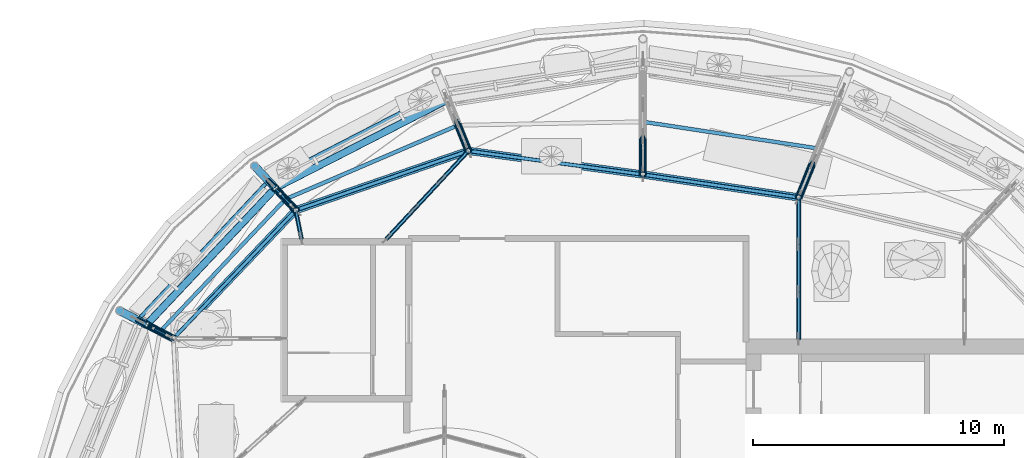
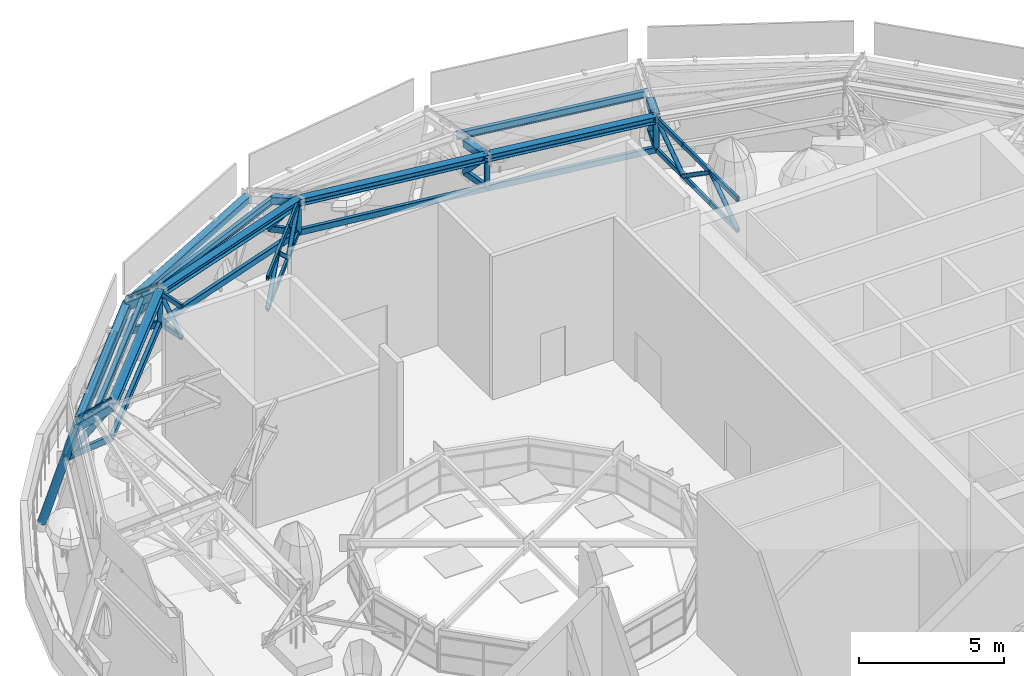
# One storey, part 12 of 40: 47 members, 12 beams, 1 element without a shape of its own.
"""IFC4 building model written with IfcOpenShell, lengths in metres."""

from ifc_helpers import new_model, si_unit, direction, frame, origin, origin_2d, place, context, subcontext, project, spatial, rectangle, hollow_rectangle, hollow_circle, i_section, extrude, material, material_profile, profile_set, type_object, element, aggregate, save


model = new_model("IFC4")

# Units and contexts
model_context = context("Model", 3, precision=1e-05, world=origin(), true_north=direction((0.0, 1.0)))
body_context = subcontext(model_context, "Body", "Model", "MODEL_VIEW")
ifc_project = project(units=[si_unit("LENGTHUNIT", "METRE"), si_unit("AREAUNIT", "SQUARE_METRE"), si_unit("VOLUMEUNIT", "CUBIC_METRE"), si_unit("PLANEANGLEUNIT", "RADIAN"), si_unit("MASSUNIT", "GRAM", prefix="KILO")], contexts=[model_context])

# Site, building, storey
site_placement = place(None, origin())
site = spatial("IfcSite", under=ifc_project, at=site_placement, CompositionType="ELEMENT")
building_placement = place(site_placement, origin())
building = spatial("IfcBuilding", under=site, at=building_placement, Name="Taillehof Tower", CompositionType="ELEMENT")
storey_placement = place(building_placement, frame((0.0, 0.0, 275.199951171875)))
storey = spatial("IfcBuildingStorey", under=building, at=storey_placement, Name="L77", CompositionType="ELEMENT", Elevation=275.199951171875)

# Beams
ifc_material_1 = material(Name="Steel S460M", Category="steel")
ifc_material_profile_1 = material_profile(ifc_material_1, i_section(OverallWidth=0.300048828125, OverallDepth=0.2900390625, WebThickness=0.008544921875, FlangeThickness=0.013916015625, FilletRadius=0.027099609375, at=origin_2d()), Name="HEA 300")
ifc_profile_set_1 = profile_set([ifc_material_profile_1], Name="Steel S460M")
beam_type_1 = type_object("IfcBeamType", Name="Canopy apex ring beam HEA 300", PredefinedType="BEAM", material=ifc_profile_set_1)
beam_1_placement = place(storey_placement, frame((6.1015625, 15.637939453125, 5.10009765625), z_axis=(-0.989356826723, 0.145509688396, 0.0), x_axis=(-0.145509688396, -0.989356826723, 0.0)))
element("IfcBeam", 1, at=beam_1_placement, inside=storey, type_object=beam_type_1, Name="Canopy ring beam CR22", PredefinedType="BEAM", context=body_context, shape_type="SweptSolid", body=[
    extrude(i_section(OverallWidth=0.300048828125, OverallDepth=0.2900390625, WebThickness=0.008544921875, FlangeThickness=0.013916015625, FilletRadius=0.027099609375, at=origin_2d()), origin(), (0.0, 0.0, 1.0), 6.268310546875),
])
beam_2_placement = place(storey_placement, frame((-0.10009765625, 16.550048828125, 5.10009765625), z_axis=(-0.990938920304, 0.134313276437, 0.0), x_axis=(-0.134313276437, -0.990938920304, 0.0)))
element("IfcBeam", 2, at=beam_2_placement, inside=storey, type_object=beam_type_1, Name="Canopy ring beam CR23", PredefinedType="BEAM", context=body_context, shape_type="SweptSolid", body=[
    extrude(i_section(OverallWidth=0.300048828125, OverallDepth=0.2900390625, WebThickness=0.008544921875, FlangeThickness=0.013916015625, FilletRadius=0.027099609375, at=origin_2d()), origin(), (0.0, 0.0, 1.0), 7.014404296875),
])
beam_3_placement = place(storey_placement, frame((-7.051025390625, 17.4921875, 5.10009765625), z_axis=(-0.945647213837, -0.325194321848, 0.0), x_axis=(0.325194321848, -0.945647213837, 0.0)))
element("IfcBeam", 3, at=beam_3_placement, inside=storey, type_object=beam_type_1, Name="Canopy ring beam CR24", PredefinedType="BEAM", context=body_context, shape_type="SweptSolid", body=[
    extrude(i_section(OverallWidth=0.300048828125, OverallDepth=0.2900390625, WebThickness=0.008544921875, FlangeThickness=0.013916015625, FilletRadius=0.027099609375, at=origin_2d()), origin(), (0.0, 0.0, 1.0), 7.2666015625),
])
beam_4_placement = place(storey_placement, frame((-13.922607421875, 15.129150390625, 5.10009765625), z_axis=(-0.690268561292, -0.723553255325, 0.0), x_axis=(0.723553255325, -0.690268561292, 0.0)))
element("IfcBeam", 4, at=beam_4_placement, inside=storey, type_object=beam_type_1, Name="Canopy ring beam CR25", PredefinedType="BEAM", context=body_context, shape_type="SweptSolid", body=[
    extrude(i_section(OverallWidth=0.300048828125, OverallDepth=0.2900390625, WebThickness=0.008544921875, FlangeThickness=0.013916015625, FilletRadius=0.027099609375, at=origin_2d()), origin(), (0.0, 0.0, 1.0), 7.0634765625),
])

# Curtain wall, members
ifc_material_2 = material(Name="Aluminium glazing bars with clear laminated safety glass", Category="aluminium")
curtain_wall_type = type_object("IfcCurtainWallType", Name="Canopy glazing", PredefinedType="NOTDEFINED", material=ifc_material_2)
curtain_wall_placement = place(storey_placement, origin())
curtain_wall = element("IfcCurtainWall", 5, at=curtain_wall_placement, inside=storey, type_object=curtain_wall_type, Name="Canopy glazing 3", PredefinedType="NOTDEFINED")
ifc_material_3 = material(Name="Aluminium glazing bar", Category="aluminium")
ifc_material_profile_2 = material_profile(ifc_material_3, rectangle(XDim=0.06005859375, YDim=0.070068359375, at=origin_2d()), Name="AL 60x70")
ifc_profile_set_2 = profile_set([ifc_material_profile_2], Name="Aluminium glazing bar")
member_type_1 = type_object("IfcMemberType", Name="Canopy glazing bar 60x70", PredefinedType="USERDEFINED", material=ifc_profile_set_2)
member_1_placement = place(storey_placement, frame((-14.740966796875, 16.007080078125, 4.658203125), z_axis=(0.567066962549, -0.608877571429, 0.554709980977), x_axis=(0.731785505268, 0.681535013246, 0.0)))
member_1 = element("IfcMember", 6, at=member_1_placement, type_object=member_type_1, Name="Canopy glazing bar 7", ObjectType="TRANSOM", PredefinedType="USERDEFINED", context=body_context, shape_type="SweptSolid", body=[
    extrude(rectangle(XDim=0.06005859375, YDim=0.070068359375, at=origin_2d()), origin(), (0.0, 0.0, 1.0), 1.4423828125),
])
member_2_placement = place(storey_placement, frame((-19.863037109375, 10.572021484375, 4.658203125), z_axis=(0.738218669105, -0.384002329253, 0.554594813998), x_axis=(0.461474403066, 0.887153524096, 0.0)))
member_2 = element("IfcMember", 7, at=member_2_placement, type_object=member_type_1, Name="Canopy glazing bar 8", ObjectType="TRANSOM", PredefinedType="USERDEFINED", context=body_context, shape_type="SweptSolid", body=[
    extrude(rectangle(XDim=0.06005859375, YDim=0.070068359375, at=origin_2d()), origin(), (0.0, 0.0, 1.0), 1.442626953125),
])
aggregate(curtain_wall, [member_1, member_2])

# Members
ifc_material_4 = material(Name="Steel S460M", Category="steel")
ifc_material_profile_3 = material_profile(ifc_material_4, hollow_circle(Radius=0.109619140625, WallThickness=0.012451171875, at=origin_2d()), Name="CHS 219.1x12.5")
ifc_profile_set_3 = profile_set([ifc_material_profile_3], Name="Steel S460M")
member_type_2 = type_object("IfcMemberType", Name="Canopy inner ring post CHS 219.1x12.5", PredefinedType="POST", material=ifc_profile_set_3)
for number, where, z_axis, x_axis, name in (
    (8, (6.1015625, 15.637939453125, 3.800048828125), (0.0, 0.0, 1.0), (1.0, 0.0, 0.0), "Canopy ring post RP04"),
    (9, (-0.10009765625, 16.550048828125, 3.800048828125), (0.0, 0.0, 1.0), (1.0, 0.0, 0.0), "Canopy ring post RP05"),
    (10, (-7.051025390625, 17.4921875, 3.800048828125), (0.0, 0.0, 1.0), (1.0, 0.0, 0.0), "Canopy ring post RP06"),
    (11, (-13.922607421875, 15.129150390625, 3.800048828125), (0.0, 0.0, 1.0), (1.0, 0.0, 0.0), "Canopy ring post RP07"),
):
    element("IfcMember", number, at=place(storey_placement, frame(where, z_axis=z_axis, x_axis=x_axis)), inside=storey, type_object=member_type_2, Name=name, PredefinedType="POST", context=body_context, shape_type="SweptSolid", body=[
        extrude(hollow_circle(Radius=0.109619140625, WallThickness=0.012451171875, at=origin_2d()), origin(), (0.0, 0.0, 1.0), 1.300048828125),
    ])

# Beams
ifc_material_5 = material(Name="Steel S460M", Category="steel")
ifc_material_profile_4 = material_profile(ifc_material_5, hollow_rectangle(XDim=0.14990234375, YDim=0.25, WallThickness=0.010009765625, InnerFilletRadius=0.010009765625, OuterFilletRadius=0.014892578125, at=origin_2d()), Name="RHS 250x150x10")
ifc_profile_set_4 = profile_set([ifc_material_profile_4], Name="Steel S460M")
beam_type_2 = type_object("IfcBeamType", Name="Canopy lower ring beam RHS 250x150x10", PredefinedType="BEAM", material=ifc_profile_set_4)
beam_5_placement = place(storey_placement, frame((-8.025634765625, 19.902587890625, 3.0), z_axis=(-0.888812455992, -0.458271118525, 0.0), x_axis=(0.458271118525, -0.888812455992, 0.0)))
element("IfcBeam", 12, at=beam_5_placement, inside=storey, type_object=beam_type_2, Name="Canopy lower ring beam CB06", PredefinedType="BEAM", context=body_context, shape_type="SweptSolid", body=[
    extrude(hollow_rectangle(XDim=0.14990234375, YDim=0.25, WallThickness=0.010009765625, InnerFilletRadius=0.010009765625, OuterFilletRadius=0.014892578125, at=origin_2d()), origin(), (0.0, 0.0, 1.0), 7.8623046875),
])
beam_6_placement = place(storey_placement, frame((-15.013671875, 16.299560546875, 3.0), z_axis=(-0.684455761803, -0.729054394497, 0.0), x_axis=(0.729054394497, -0.684455761803, 0.0)))
element("IfcBeam", 13, at=beam_6_placement, inside=storey, type_object=beam_type_2, Name="Canopy lower ring beam CB07", PredefinedType="BEAM", context=body_context, shape_type="SweptSolid", body=[
    extrude(hollow_rectangle(XDim=0.14990234375, YDim=0.25, WallThickness=0.010009765625, InnerFilletRadius=0.010009765625, OuterFilletRadius=0.014892578125, at=origin_2d()), origin(), (0.0, 0.0, 1.0), 7.603515625),
])
beam_7_placement = place(storey_placement, frame((6.1015625, 15.637939453125, 3.800048828125), z_axis=(-0.989356826723, 0.145509688396, 0.0), x_axis=(-0.145509688396, -0.989356826723, 0.0)))
element("IfcBeam", 14, at=beam_7_placement, inside=storey, type_object=beam_type_2, Name="Canopy lower ring beam CB22", PredefinedType="BEAM", context=body_context, shape_type="SweptSolid", body=[
    extrude(hollow_rectangle(XDim=0.14990234375, YDim=0.25, WallThickness=0.010009765625, InnerFilletRadius=0.010009765625, OuterFilletRadius=0.014892578125, at=origin_2d()), origin(), (0.0, 0.0, 1.0), 6.268310546875),
])
beam_8_placement = place(storey_placement, frame((-0.10009765625, 16.550048828125, 3.800048828125), z_axis=(-0.990938920304, 0.134313276437, 0.0), x_axis=(-0.134313276437, -0.990938920304, 0.0)))
element("IfcBeam", 15, at=beam_8_placement, inside=storey, type_object=beam_type_2, Name="Canopy lower ring beam CB23", PredefinedType="BEAM", context=body_context, shape_type="SweptSolid", body=[
    extrude(hollow_rectangle(XDim=0.14990234375, YDim=0.25, WallThickness=0.010009765625, InnerFilletRadius=0.010009765625, OuterFilletRadius=0.014892578125, at=origin_2d()), origin(), (0.0, 0.0, 1.0), 7.014404296875),
])
beam_9_placement = place(storey_placement, frame((-7.051025390625, 17.4921875, 3.800048828125), z_axis=(-0.945647213837, -0.325194321848, 0.0), x_axis=(0.325194321848, -0.945647213837, 0.0)))
element("IfcBeam", 16, at=beam_9_placement, inside=storey, type_object=beam_type_2, Name="Canopy lower ring beam CB24", PredefinedType="BEAM", context=body_context, shape_type="SweptSolid", body=[
    extrude(hollow_rectangle(XDim=0.14990234375, YDim=0.25, WallThickness=0.010009765625, InnerFilletRadius=0.010009765625, OuterFilletRadius=0.014892578125, at=origin_2d()), origin(), (0.0, 0.0, 1.0), 7.2666015625),
])
beam_10_placement = place(storey_placement, frame((-13.922607421875, 15.129150390625, 3.800048828125), z_axis=(-0.690268561292, -0.723553255325, 0.0), x_axis=(0.723553255325, -0.690268561292, 0.0)))
element("IfcBeam", 17, at=beam_10_placement, inside=storey, type_object=beam_type_2, Name="Canopy lower ring beam CB25", PredefinedType="BEAM", context=body_context, shape_type="SweptSolid", body=[
    extrude(hollow_rectangle(XDim=0.14990234375, YDim=0.25, WallThickness=0.010009765625, InnerFilletRadius=0.010009765625, OuterFilletRadius=0.014892578125, at=origin_2d()), origin(), (0.0, 0.0, 1.0), 7.0634765625),
])

# Members
ifc_material_6 = material(Name="Steel S460M", Category="steel")
ifc_material_profile_5 = material_profile(ifc_material_6, i_section(OverallWidth=0.14990234375, OverallDepth=0.300048828125, WebThickness=0.007080078125, FlangeThickness=0.0107421875, FilletRadius=0.014892578125, at=origin_2d()), Name="IPE 300")
ifc_profile_set_5 = profile_set([ifc_material_profile_5], Name="Steel S460M")
member_type_3 = type_object("IfcMemberType", Name="Canopy purlin IPE 300", PredefinedType="PURLIN", material=ifc_profile_set_5)
member_3_placement = place(storey_placement, frame((6.888427734375, 17.5849609375, 4.699951171875), z_axis=(-0.988587885748, 0.150645252668, 0.0), x_axis=(-0.150645252668, -0.988587885748, 0.0)))
element("IfcMember", 18, at=member_3_placement, inside=storey, type_object=member_type_3, Name="Canopy purlin CP04", PredefinedType="PURLIN", context=body_context, shape_type="SweptSolid", body=[
    extrude(i_section(OverallWidth=0.14990234375, OverallDepth=0.300048828125, WebThickness=0.007080078125, FlangeThickness=0.0107421875, FilletRadius=0.014892578125, at=origin_2d()), origin(), (0.0, 0.0, 1.0), 7.069091796875),
])
member_4_placement = place(storey_placement, frame((-7.46337890625, 18.511962890625, 4.699951171875), z_axis=(-0.919138270569, -0.393935070254, 0.0), x_axis=(0.393935070254, -0.919138270569, 0.0)))
element("IfcMember", 19, at=member_4_placement, inside=storey, type_object=member_type_3, Name="Canopy purlin CP06", PredefinedType="PURLIN", context=body_context, shape_type="SweptSolid", body=[
    extrude(i_section(OverallWidth=0.14990234375, OverallDepth=0.300048828125, WebThickness=0.007080078125, FlangeThickness=0.0107421875, FilletRadius=0.014892578125, at=origin_2d()), origin(), (0.0, 0.0, 1.0), 7.472900390625),
])
member_5_placement = place(storey_placement, frame((-14.33203125, 15.568115234375, 4.699951171875), z_axis=(-0.687953389122, -0.725754872113, 0.0), x_axis=(0.725754872113, -0.687953389122, 0.0)))
element("IfcMember", 20, at=member_5_placement, inside=storey, type_object=member_type_3, Name="Canopy purlin CP07", PredefinedType="PURLIN", context=body_context, shape_type="SweptSolid", body=[
    extrude(i_section(OverallWidth=0.14990234375, OverallDepth=0.300048828125, WebThickness=0.007080078125, FlangeThickness=0.0107421875, FilletRadius=0.014892578125, at=origin_2d()), origin(), (0.0, 0.0, 1.0), 7.265869140625),
])
ifc_material_7 = material(Name="Steel S460M", Category="steel")
ifc_material_profile_6 = material_profile(ifc_material_7, hollow_rectangle(XDim=0.300048828125, YDim=0.300048828125, WallThickness=0.012451171875, InnerFilletRadius=0.012451171875, OuterFilletRadius=0.018798828125, at=origin_2d()), Name="RHS 300x300x12.5")
ifc_profile_set_6 = profile_set([ifc_material_profile_6], Name="Steel S460M")
member_type_4 = type_object("IfcMemberType", Name="Canopy rafter RHS 300x300x12.5", PredefinedType="RAFTER", material=ifc_profile_set_6)
member_6_placement = place(storey_placement, frame((6.626220703125, 16.93603515625, 4.83349609375), z_axis=(-0.368111402005, -0.91077167262, 0.187053350856), x_axis=(0.927135846139, -0.37472539653, 0.0)))
element("IfcMember", 21, at=member_6_placement, inside=storey, type_object=member_type_4, Name="Canopy rafter 04 top chord 3", PredefinedType="RAFTER", context=body_context, shape_type="SweptSolid", body=[
    extrude(hollow_rectangle(XDim=0.300048828125, YDim=0.300048828125, WallThickness=0.012451171875, InnerFilletRadius=0.012451171875, OuterFilletRadius=0.018798828125, at=origin_2d()), origin(), (0.0, 0.0, 1.0), 1.42529296875),
])
member_7_placement = place(storey_placement, frame((-0.10009765625, 17.949951171875, 4.83349609375), z_axis=(0.0, -0.982344563966, 0.187080618042), x_axis=(1.0, 0.0, 0.0)))
element("IfcMember", 22, at=member_7_placement, inside=storey, type_object=member_type_4, Name="Canopy rafter 05 top chord 3", PredefinedType="RAFTER", context=body_context, shape_type="SweptSolid", body=[
    extrude(hollow_rectangle(XDim=0.300048828125, YDim=0.300048828125, WallThickness=0.012451171875, InnerFilletRadius=0.012451171875, OuterFilletRadius=0.018798828125, at=origin_2d()), origin(), (0.0, 0.0, 1.0), 1.425048828125),
])
member_8_placement = place(storey_placement, frame((-7.46337890625, 18.511962890625, 4.699951171875), z_axis=(0.352285236798, -0.871222873953, 0.341856425762), x_axis=(0.92707724492, 0.374870353524, 0.0)))
element("IfcMember", 23, at=member_8_placement, inside=storey, type_object=member_type_4, Name="Canopy rafter 06 top chord 2", PredefinedType="RAFTER", context=body_context, shape_type="SweptSolid", body=[
    extrude(hollow_rectangle(XDim=0.300048828125, YDim=0.300048828125, WallThickness=0.012451171875, InnerFilletRadius=0.012451171875, OuterFilletRadius=0.018798828125, at=origin_2d()), origin(), (0.0, 0.0, 1.0), 1.17041015625),
])
member_9_placement = place(storey_placement, frame((-14.74072265625, 16.007080078125, 4.300048828125), z_axis=(0.567240234637, -0.608712588408, 0.554713891049), x_axis=(0.731589510869, 0.681745397921, 0.0)))
element("IfcMember", 24, at=member_9_placement, inside=storey, type_object=member_type_4, Name="Canopy rafter 07 top chord 1", PredefinedType="RAFTER", context=body_context, shape_type="SweptSolid", body=[
    extrude(hollow_rectangle(XDim=0.300048828125, YDim=0.300048828125, WallThickness=0.012451171875, InnerFilletRadius=0.012451171875, OuterFilletRadius=0.018798828125, at=origin_2d()), origin(), (0.0, 0.0, 1.0), 1.4423828125),
])
member_10_placement = place(storey_placement, frame((-19.863037109375, 10.571533203125, 4.300048828125), z_axis=(0.738285539434, -0.383617297032, 0.554772234057), x_axis=(0.461077227009, 0.887360011908, 0.0)))
element("IfcMember", 25, at=member_10_placement, inside=storey, type_object=member_type_4, Name="Canopy rafter 08 top chord 1", PredefinedType="RAFTER", context=body_context, shape_type="SweptSolid", body=[
    extrude(hollow_rectangle(XDim=0.300048828125, YDim=0.300048828125, WallThickness=0.012451171875, InnerFilletRadius=0.012451171875, OuterFilletRadius=0.018798828125, at=origin_2d()), origin(), (0.0, 0.0, 1.0), 1.442138671875),
])
ifc_material_8 = material(Name="Steel S460M", Category="steel")
ifc_material_profile_7 = material_profile(ifc_material_8, hollow_rectangle(XDim=0.14990234375, YDim=0.25, WallThickness=0.010009765625, InnerFilletRadius=0.010009765625, OuterFilletRadius=0.014892578125, at=origin_2d()), Name="RHS 250x150x10")
ifc_profile_set_7 = profile_set([ifc_material_profile_7], Name="Steel S460M")
member_type_5 = type_object("IfcMemberType", Name="Canopy rafter bottom chord RHS 250x150x10", PredefinedType="CHORD", material=ifc_profile_set_7)
member_11_placement = place(storey_placement, frame((6.67626953125, 17.0595703125, 3.533447265625), z_axis=(-0.369252703203, -0.913406325723, 0.171293097663), x_axis=(0.927108888624, -0.374792087209, 0.0)))
element("IfcMember", 26, at=member_11_placement, inside=storey, type_object=member_type_5, Name="Canopy rafter 04 bottom chord 3", PredefinedType="CHORD", context=body_context, shape_type="SweptSolid", body=[
    extrude(hollow_rectangle(XDim=0.14990234375, YDim=0.25, WallThickness=0.010009765625, InnerFilletRadius=0.010009765625, OuterFilletRadius=0.014892578125, at=origin_2d()), origin(), (0.0, 0.0, 1.0), 1.556396484375),
])
member_12_placement = place(storey_placement, frame((-0.10009765625, 18.083251953125, 3.533447265625), z_axis=(0.0, -0.985216360162, 0.171314691926), x_axis=(1.0, 0.0, 0.0)))
element("IfcMember", 27, at=member_12_placement, inside=storey, type_object=member_type_5, Name="Canopy rafter 05 bottom chord 3", PredefinedType="CHORD", context=body_context, shape_type="SweptSolid", body=[
    extrude(hollow_rectangle(XDim=0.14990234375, YDim=0.25, WallThickness=0.010009765625, InnerFilletRadius=0.010009765625, OuterFilletRadius=0.014892578125, at=origin_2d()), origin(), (0.0, 0.0, 1.0), 1.55615234375),
])
member_13_placement = place(storey_placement, frame((-7.538330078125, 18.697509765625, 3.400146484375), z_axis=(0.358255182981, -0.886125169528, 0.293998992847), x_axis=(0.927097570504, 0.374820083194, 0.0)))
element("IfcMember", 28, at=member_13_placement, inside=storey, type_object=member_type_5, Name="Canopy rafter 06 bottom chord 2", PredefinedType="CHORD", context=body_context, shape_type="SweptSolid", body=[
    extrude(hollow_rectangle(XDim=0.14990234375, YDim=0.25, WallThickness=0.010009765625, InnerFilletRadius=0.010009765625, OuterFilletRadius=0.014892578125, at=origin_2d()), origin(), (0.0, 0.0, 1.0), 1.360107421875),
])
member_14_placement = place(storey_placement, frame((-15.013671875, 16.299560546875, 3.0), z_axis=(0.609889294333, -0.654242398083, 0.447215756887), x_axis=(0.731466121736, 0.681877784322, 0.0)))
element("IfcMember", 29, at=member_14_placement, inside=storey, type_object=member_type_5, Name="Canopy rafter 07 bottom chord 1", PredefinedType="CHORD", context=body_context, shape_type="SweptSolid", body=[
    extrude(hollow_rectangle(XDim=0.14990234375, YDim=0.25, WallThickness=0.010009765625, InnerFilletRadius=0.010009765625, OuterFilletRadius=0.014892578125, at=origin_2d()), origin(), (0.0, 0.0, 1.0), 1.7890625),
])
member_15_placement = place(storey_placement, frame((-20.218017578125, 10.756103515625, 3.0), z_axis=(0.793636199464, -0.412445158174, 0.447247777411), x_axis=(0.461136517275, 0.887329201838, 0.0)))
element("IfcMember", 30, at=member_15_placement, inside=storey, type_object=member_type_5, Name="Canopy rafter 08 bottom chord 1", PredefinedType="CHORD", context=body_context, shape_type="SweptSolid", body=[
    extrude(hollow_rectangle(XDim=0.14990234375, YDim=0.25, WallThickness=0.010009765625, InnerFilletRadius=0.010009765625, OuterFilletRadius=0.014892578125, at=origin_2d()), origin(), (0.0, 0.0, 1.0), 1.788818359375),
])
ifc_material_9 = material(Name="Steel S460M", Category="steel")
ifc_material_profile_8 = material_profile(ifc_material_9, hollow_circle(Radius=0.109619140625, WallThickness=0.012451171875, at=origin_2d()), Name="CHS 219.1x12.5")
ifc_profile_set_8 = profile_set([ifc_material_profile_8], Name="Steel S460M")
member_type_6 = type_object("IfcMemberType", Name="Canopy rafter diagonal CHS 219.1x12.5", PredefinedType="BRACE", material=ifc_profile_set_8)
for number, where, z_axis, x_axis, name in (
    (31, (6.67626953125, 17.0595703125, 3.533447265625), (-0.262160624671, -0.64849673639, 0.714649417382), (0.927108888624, -0.374792087209, 0.0), "Canopy rafter 04 diagonal 3"),
    (32, (-0.10009765625, 18.083251953125, 3.533447265625), (0.0, -0.699436420034, 0.714694826013), (1.0, 0.0, 0.0), "Canopy rafter 05 diagonal 3"),
):
    element("IfcMember", number, at=place(storey_placement, frame(where, z_axis=z_axis, x_axis=x_axis)), inside=storey, type_object=member_type_6, Name=name, PredefinedType="BRACE", context=body_context, shape_type="SweptSolid", body=[
        extrude(hollow_circle(Radius=0.109619140625, WallThickness=0.012451171875, at=origin_2d()), origin(), (0.0, 0.0, 1.0), 2.192138671875),
    ])
member_16_placement = place(storey_placement, frame((-7.538330078125, 18.697509765625, 3.400146484375), z_axis=(0.227700001005, -0.563203860201, 0.794326205911), x_axis=(0.927097570504, 0.374820083194, 0.0)))
element("IfcMember", 33, at=member_16_placement, inside=storey, type_object=member_type_6, Name="Canopy rafter 06 diagonal 2", PredefinedType="BRACE", context=body_context, shape_type="SweptSolid", body=[
    extrude(hollow_circle(Radius=0.109619140625, WallThickness=0.012451171875, at=origin_2d()), origin(), (0.0, 0.0, 1.0), 2.14013671875),
])
for number, where, z_axis, x_axis, name in (
    (34, (-15.013671875, 16.299560546875, 3.0), (0.413249624714, -0.443302461597, 0.795429239603), (0.731466121736, 0.681877784322, 0.0), "Canopy rafter 07 diagonal 1"),
    (35, (-20.218017578125, 10.756103515625, 3.0), (0.537732279603, -0.279454333441, 0.795455385923), (0.461136517275, 0.887329201838, 0.0), "Canopy rafter 08 diagonal 1"),
):
    element("IfcMember", number, at=place(storey_placement, frame(where, z_axis=z_axis, x_axis=x_axis)), inside=storey, type_object=member_type_6, Name=name, PredefinedType="BRACE", context=body_context, shape_type="SweptSolid", body=[
        extrude(hollow_circle(Radius=0.109619140625, WallThickness=0.012451171875, at=origin_2d()), origin(), (0.0, 0.0, 1.0), 2.64013671875),
    ])
ifc_material_10 = material(Name="Steel S460M", Category="steel")
ifc_material_profile_9 = material_profile(ifc_material_10, hollow_circle(Radius=0.161865234375, WallThickness=0.01611328125, at=origin_2d()), Name="CHS 323.9x16")
ifc_profile_set_9 = profile_set([ifc_material_profile_9], Name="Steel S460M")
member_type_7 = type_object("IfcMemberType", Name="Canopy raking column CHS 323.9x16", PredefinedType="POST", material=ifc_profile_set_9)
member_17_placement = place(storey_placement, frame((-15.55908203125, 16.884765625, 0.300048828125), z_axis=(0.195961282914, -0.210167306705, 0.957825077345), x_axis=(0.73139345201, 0.681955730497, 0.0)))
element("IfcMember", 36, at=member_17_placement, inside=storey, type_object=member_type_7, Name="Canopy raking column CC07", PredefinedType="POST", context=body_context, shape_type="SweptSolid", body=[
    extrude(hollow_circle(Radius=0.161865234375, WallThickness=0.01611328125, at=origin_2d()), origin(), (0.0, 0.0, 1.0), 4.176025390625),
])
member_18_placement = place(storey_placement, frame((-20.927978515625, 11.125, 0.300048828125), z_axis=(0.255004105596, -0.132529644059, 0.957814595616), x_axis=(0.461154172377, 0.887320026427, 0.0)))
element("IfcMember", 37, at=member_18_placement, inside=storey, type_object=member_type_7, Name="Canopy raking column CC08", PredefinedType="POST", context=body_context, shape_type="SweptSolid", body=[
    extrude(hollow_circle(Radius=0.161865234375, WallThickness=0.01611328125, at=origin_2d()), origin(), (0.0, 0.0, 1.0), 4.17626953125),
])

# Beams
ifc_material_11 = material(Name="Steel S460M", Category="steel")
ifc_material_profile_10 = material_profile(ifc_material_11, hollow_rectangle(XDim=0.300048828125, YDim=0.300048828125, WallThickness=0.012451171875, InnerFilletRadius=0.012451171875, OuterFilletRadius=0.018798828125, at=origin_2d()), Name="RHS 300x300x12.5")
ifc_profile_set_10 = profile_set([ifc_material_profile_10], Name="Steel S460M")
beam_type_3 = type_object("IfcBeamType", Name="Canopy ring beam RHS 300x300x12.5", PredefinedType="BEAM", material=ifc_profile_set_10)
beam_11_placement = place(storey_placement, frame((-7.875732421875, 19.53173828125, 4.300048828125), z_axis=(-0.889598982071, -0.456742434089, 0.0), x_axis=(0.456742434089, -0.889598982071, 0.0)))
element("IfcBeam", 38, at=beam_11_placement, inside=storey, type_object=beam_type_3, Name="Canopy ring beam CR06", PredefinedType="BEAM", context=body_context, shape_type="SweptSolid", body=[
    extrude(hollow_rectangle(XDim=0.300048828125, YDim=0.300048828125, WallThickness=0.012451171875, InnerFilletRadius=0.012451171875, OuterFilletRadius=0.018798828125, at=origin_2d()), origin(), (0.0, 0.0, 1.0), 7.717041015625),
])
beam_12_placement = place(storey_placement, frame((-14.74072265625, 16.007080078125, 4.300048828125), z_axis=(-0.685826451251, -0.727765126098, 0.0), x_axis=(0.727765126098, -0.685826451251, 0.0)))
element("IfcBeam", 39, at=beam_12_placement, inside=storey, type_object=beam_type_3, Name="Canopy ring beam CR07", PredefinedType="BEAM", context=body_context, shape_type="SweptSolid", body=[
    extrude(hollow_rectangle(XDim=0.300048828125, YDim=0.300048828125, WallThickness=0.012451171875, InnerFilletRadius=0.012451171875, OuterFilletRadius=0.018798828125, at=origin_2d()), origin(), (0.0, 0.0, 1.0), 7.46875),
])

# Members
ifc_material_12 = material(Name="Steel S460M", Category="steel")
ifc_material_profile_11 = material_profile(ifc_material_12, hollow_rectangle(XDim=0.10009765625, YDim=0.199951171875, WallThickness=0.008056640625, InnerFilletRadius=0.008056640625, OuterFilletRadius=0.011962890625, at=origin_2d()), Name="RHS 200x100x8")
ifc_profile_set_11 = profile_set([ifc_material_profile_11], Name="Steel S460M")
member_type_8 = type_object("IfcMemberType", Name="Canopy spur chord RHS 200x100x8", PredefinedType="CHORD", material=ifc_profile_set_11)
for number, where, z_axis, x_axis, name in (
    (40, (6.1015625, 15.637939453125, 5.10009765625), (0.0, -1.0, 0.0), (1.0, 0.0, 0.0), "Canopy rafter S04 top chord 1"),
    (41, (6.1015625, 15.637939453125, 3.800048828125), (0.0, -1.0, 0.0), (1.0, 0.0, 0.0), "Canopy rafter S04 bottom chord 1"),
):
    element("IfcMember", number, at=place(storey_placement, frame(where, z_axis=z_axis, x_axis=x_axis)), inside=storey, type_object=member_type_8, Name=name, PredefinedType="CHORD", context=body_context, shape_type="SweptSolid", body=[
        extrude(hollow_rectangle(XDim=0.10009765625, YDim=0.199951171875, WallThickness=0.008056640625, InnerFilletRadius=0.008056640625, OuterFilletRadius=0.011962890625, at=origin_2d()), origin(), (0.0, 0.0, 1.0), 1.879150390625),
    ])
for number, where, z_axis, x_axis, name in (
    (42, (6.1015625, 13.7587890625, 5.10009765625), (0.0, -1.0, 0.0), (1.0, 0.0, 0.0), "Canopy rafter S04 top chord 2"),
    (43, (6.1015625, 13.7587890625, 3.800048828125), (0.0, -1.0, 0.0), (1.0, 0.0, 0.0), "Canopy rafter S04 bottom chord 2"),
    (44, (6.1015625, 11.87939453125, 5.10009765625), (0.0, -1.0, 0.0), (1.0, 0.0, 0.0), "Canopy rafter S04 top chord 3"),
    (45, (6.1015625, 11.87939453125, 3.800048828125), (0.0, -1.0, 0.0), (1.0, 0.0, 0.0), "Canopy rafter S04 bottom chord 3"),
):
    element("IfcMember", number, at=place(storey_placement, frame(where, z_axis=z_axis, x_axis=x_axis)), inside=storey, type_object=member_type_8, Name=name, PredefinedType="CHORD", context=body_context, shape_type="SweptSolid", body=[
        extrude(hollow_rectangle(XDim=0.10009765625, YDim=0.199951171875, WallThickness=0.008056640625, InnerFilletRadius=0.008056640625, OuterFilletRadius=0.011962890625, at=origin_2d()), origin(), (0.0, 0.0, 1.0), 1.87939453125),
    ])
for number, where, z_axis, x_axis, name in (
    (46, (-7.051025390625, 17.4921875, 5.10009765625), (-0.68115754368, -0.732136872919, 0.0), (0.732136872919, -0.68115754368, 0.0), "Canopy rafter S06 top chord 1"),
    (47, (-7.051025390625, 17.4921875, 3.800048828125), (-0.68115754368, -0.732136872919, 0.0), (0.732136872919, -0.68115754368, 0.0), "Canopy rafter S06 bottom chord 1"),
    (48, (-8.134033203125, 16.328125, 5.10009765625), (-0.68115754368, -0.732136872919, 0.0), (0.732136872919, -0.68115754368, 0.0), "Canopy rafter S06 top chord 2"),
    (49, (-8.134033203125, 16.328125, 3.800048828125), (-0.68115754368, -0.732136872919, 0.0), (0.732136872919, -0.68115754368, 0.0), "Canopy rafter S06 bottom chord 2"),
    (50, (-9.217041015625, 15.1640625, 5.10009765625), (-0.68115754368, -0.732136872919, 0.0), (0.732136872919, -0.68115754368, 0.0), "Canopy rafter S06 top chord 3"),
    (51, (-9.217041015625, 15.1640625, 3.800048828125), (-0.68115754368, -0.732136872919, 0.0), (0.732136872919, -0.68115754368, 0.0), "Canopy rafter S06 bottom chord 3"),
):
    element("IfcMember", number, at=place(storey_placement, frame(where, z_axis=z_axis, x_axis=x_axis)), inside=storey, type_object=member_type_8, Name=name, PredefinedType="CHORD", context=body_context, shape_type="SweptSolid", body=[
        extrude(hollow_rectangle(XDim=0.10009765625, YDim=0.199951171875, WallThickness=0.008056640625, InnerFilletRadius=0.008056640625, OuterFilletRadius=0.011962890625, at=origin_2d()), origin(), (0.0, 0.0, 1.0), 1.58984375),
    ])
for number, where, z_axis, x_axis, name in (
    (52, (-13.922607421875, 15.129150390625, 5.10009765625), (0.19346377642, -0.981107418794, 0.0), (0.981107418794, 0.19346377642, 0.0), "Canopy rafter S07 top chord 1"),
    (53, (-13.922607421875, 15.129150390625, 3.800048828125), (0.19346377642, -0.981107418794, 0.0), (0.981107418794, 0.19346377642, 0.0), "Canopy rafter S07 bottom chord 1"),
):
    element("IfcMember", number, at=place(storey_placement, frame(where, z_axis=z_axis, x_axis=x_axis)), inside=storey, type_object=member_type_8, Name=name, PredefinedType="CHORD", context=body_context, shape_type="SweptSolid", body=[
        extrude(hollow_rectangle(XDim=0.10009765625, YDim=0.199951171875, WallThickness=0.008056640625, InnerFilletRadius=0.008056640625, OuterFilletRadius=0.011962890625, at=origin_2d()), origin(), (0.0, 0.0, 1.0), 1.15087890625),
    ])
ifc_material_13 = material(Name="Steel S460M", Category="steel")
ifc_material_profile_12 = material_profile(ifc_material_13, hollow_circle(Radius=0.084228515625, WallThickness=0.008056640625, at=origin_2d()), Name="CHS 168.3x8")
ifc_profile_set_12 = profile_set([ifc_material_profile_12], Name="Steel S460M")
member_type_9 = type_object("IfcMemberType", Name="Canopy spur diagonal CHS 168.3x8", PredefinedType="BRACE", material=ifc_profile_set_12)
member_19_placement = place(storey_placement, frame((6.1015625, 15.637939453125, 5.10009765625), z_axis=(0.0, -0.822376774491, -0.568943266748), x_axis=(1.0, 0.0, 0.0)))
element("IfcMember", 54, at=member_19_placement, inside=storey, type_object=member_type_9, Name="Canopy rafter S04 diagonal 1", PredefinedType="BRACE", context=body_context, shape_type="SweptSolid", body=[
    extrude(hollow_circle(Radius=0.084228515625, WallThickness=0.008056640625, at=origin_2d()), origin(), (0.0, 0.0, 1.0), 2.284912109375),
])
for number, where, z_axis, x_axis, name in (
    (55, (6.1015625, 13.7587890625, 3.800048828125), (0.0, -0.822411354893, 0.568893279398), (1.0, 0.0, 0.0), "Canopy rafter S04 diagonal 2"),
    (56, (6.1015625, 11.87939453125, 5.10009765625), (0.0, -0.822411354893, -0.568893279398), (1.0, 0.0, 0.0), "Canopy rafter S04 diagonal 3"),
):
    element("IfcMember", number, at=place(storey_placement, frame(where, z_axis=z_axis, x_axis=x_axis)), inside=storey, type_object=member_type_9, Name=name, PredefinedType="BRACE", context=body_context, shape_type="SweptSolid", body=[
        extrude(hollow_circle(Radius=0.084228515625, WallThickness=0.008056640625, at=origin_2d()), origin(), (0.0, 0.0, 1.0), 2.28515625),
    ])
for number, where, z_axis, x_axis, name in (
    (57, (-7.051025390625, 17.4921875, 5.10009765625), (-0.527320278297, -0.566786088125, -0.632998305215), (0.732136872919, -0.68115754368, 0.0), "Canopy rafter S06 diagonal 1"),
    (58, (-8.134033203125, 16.328125, 3.800048828125), (-0.527320278297, -0.566786088125, 0.632998305215), (0.732136872919, -0.68115754368, 0.0), "Canopy rafter S06 diagonal 2"),
    (59, (-9.217041015625, 15.1640625, 5.10009765625), (-0.527320278297, -0.566786088125, -0.632998305215), (0.732136872919, -0.68115754368, 0.0), "Canopy rafter S06 diagonal 3"),
):
    element("IfcMember", number, at=place(storey_placement, frame(where, z_axis=z_axis, x_axis=x_axis)), inside=storey, type_object=member_type_9, Name=name, PredefinedType="BRACE", context=body_context, shape_type="SweptSolid", body=[
        extrude(hollow_circle(Radius=0.084228515625, WallThickness=0.008056640625, at=origin_2d()), origin(), (0.0, 0.0, 1.0), 2.0537109375),
    ])
member_20_placement = place(storey_placement, frame((-13.922607421875, 15.129150390625, 5.10009765625), z_axis=(0.128237203311, -0.650325729509, -0.748753407489), x_axis=(0.981107418794, 0.19346377642, 0.0)))
element("IfcMember", 60, at=member_20_placement, inside=storey, type_object=member_type_9, Name="Canopy rafter S07 diagonal 1", PredefinedType="BRACE", context=body_context, shape_type="SweptSolid", body=[
    extrude(hollow_circle(Radius=0.084228515625, WallThickness=0.008056640625, at=origin_2d()), origin(), (0.0, 0.0, 1.0), 1.736328125),
])

save(model, "model.ifc")
